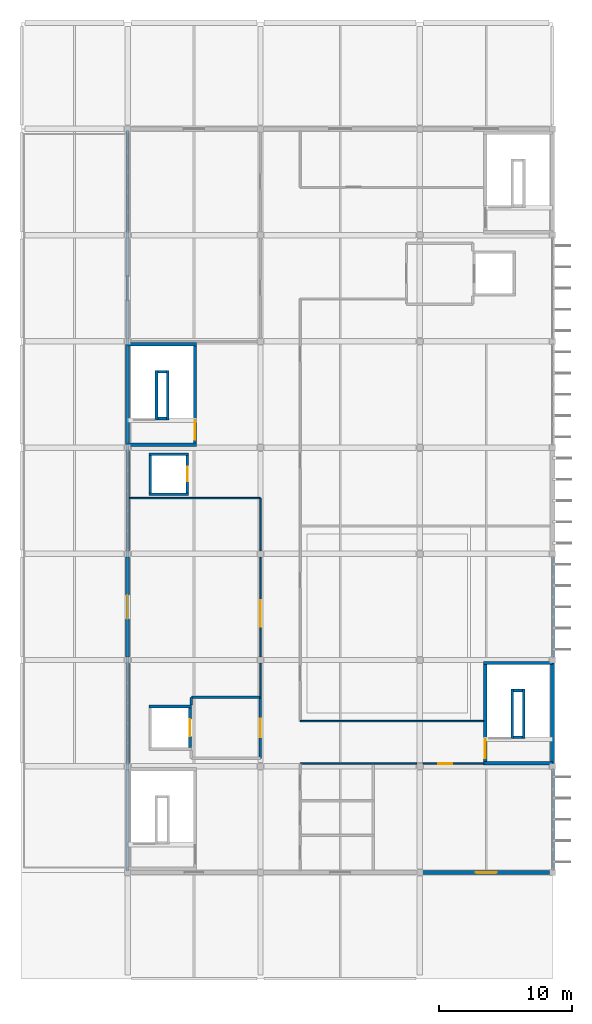
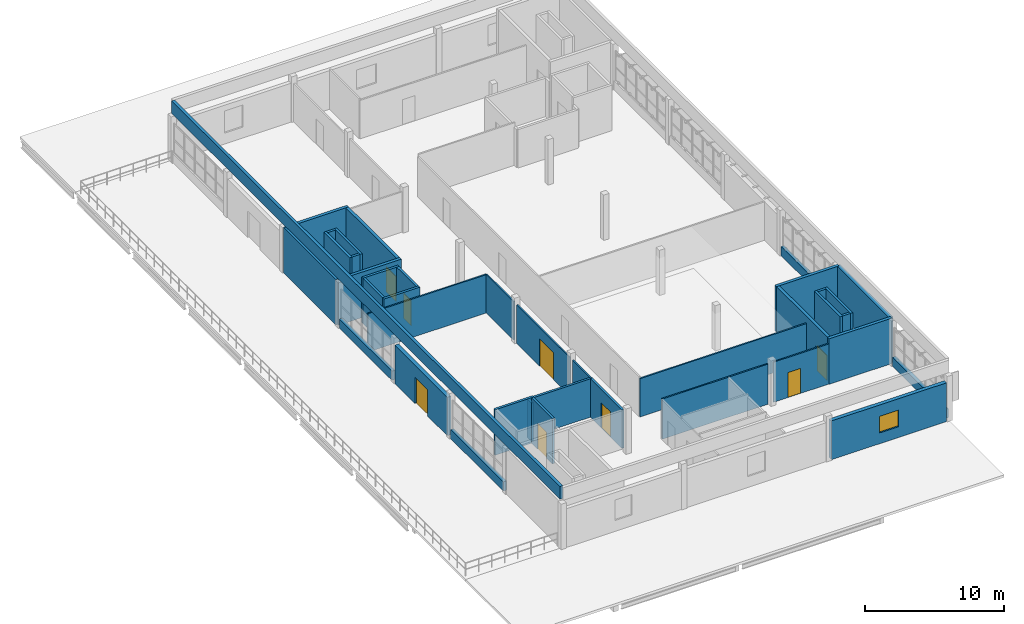
# One storey, part 9 of 12: 39 walls, 8 doors, 1 window, 9 openings.
"""IFC4 building model written with IfcOpenShell, lengths in metres."""

from ifc_helpers import new_model, si_unit, direction, frame, frame_2d, origin, place, context, subcontext, project, spatial, rectangle, extrude, material, layer, layer_set, type_object, element, fill, save


model = new_model("IFC4")

# Units and contexts
model_context = context("Model", 3, precision=1e-05, world=origin(), true_north=direction((0.0, 1.0)))
body_context = subcontext(model_context, "Body", "Model", "MODEL_VIEW")
ifc_project = project(units=[si_unit("LENGTHUNIT", "METRE"), si_unit("AREAUNIT", "SQUARE_METRE"), si_unit("VOLUMEUNIT", "CUBIC_METRE"), si_unit("PLANEANGLEUNIT", "RADIAN"), si_unit("MASSUNIT", "GRAM", prefix="KILO")], contexts=[model_context])

# Site, building, storey
site_placement = place(None, origin())
site = spatial("IfcSite", under=ifc_project, at=site_placement, CompositionType="ELEMENT")
building_placement = place(site_placement, origin())
building = spatial("IfcBuilding", under=site, at=building_placement, Name="Drelvana Railside Aquatics Centre", CompositionType="ELEMENT")
storey_placement = place(building_placement, frame((0.0, 0.0, 18.60009765625)))
storey = spatial("IfcBuildingStorey", under=building, at=storey_placement, Name="L04", CompositionType="ELEMENT", Elevation=18.60009765625)

# Wall
ifc_material_1 = material(Name="Concrete blockwork compartment wall", Category="masonry")
ifc_layer_1 = layer(ifc_material_1, 0.18505859375, Name="Concrete blockwork compartment wall")
ifc_layer_set_1 = layer_set([ifc_layer_1], Name="Concrete blockwork compartment wall")
wall_type_1 = type_object("IfcWallType", Name="WL-COMP-185", PredefinedType="STANDARD", material=ifc_layer_set_1)
wall_1_placement = place(storey_placement, frame((156.800048828125, 37.199951171875, 0.0), z_axis=(0.0, 0.0, 1.0), x_axis=(1.0, 0.0, 0.0)))
element("IfcWall", 1, at=wall_1_placement, inside=storey, type_object=wall_type_1, Name="Firefighting lobby FL-01 N wall (L04)", PredefinedType="STANDARD", context=body_context, shape_type="SweptSolid", body=[
    extrude(rectangle(XDim=5.199951171875, YDim=0.18505859375, at=frame_2d((2.60009765625, 0.0))), origin(), (0.0, 0.0, 1.0), 3.364990234375),
])

# Wall, opening, door
wall_2_placement = place(storey_placement, frame((162.0, 32.60009765625, 0.0), z_axis=(0.0, 0.0, 1.0), x_axis=(0.0, 1.0, 0.0)))
wall_2 = element("IfcWall", 2, at=wall_2_placement, inside=storey, type_object=wall_type_1, Name="Firefighting lobby FL-01 COR wall (L04)", PredefinedType="STANDARD", context=body_context, shape_type="SweptSolid", body=[
    extrude(rectangle(XDim=4.599853515625, YDim=0.18505859375, at=frame_2d((2.2998046875, 0.0))), origin(), (0.0, 0.0, 1.0), 3.364990234375),
])
opening_1_placement = place(wall_2_placement, frame((1.60009765625, 0.0, 0.0)))
opening_1 = element("IfcOpeningElement", 3, at=opening_1_placement, cuts=wall_2, Name="Opening D-03-052", PredefinedType="OPENING", context=body_context, shape_type="SweptSolid", body=[
    extrude(rectangle(XDim=1.39990234375, YDim=2.199951171875, at=frame_2d((0.699951171875, 1.10009765625))), frame((0.0, 0.1025390625, 0.0), z_axis=(0.0, -1.0, 0.0), x_axis=(1.0, 0.0, 0.0)), (0.0, 0.0, 1.0), 0.205078125),
])
ifc_material_2 = material(Name="Firefighting lobby door", Category="wood")
door_type_1 = type_object("IfcDoorType", Name="DR-INT-FFLOB-1400x2200", OperationType="DOUBLE_DOOR_SINGLE_SWING", PredefinedType="DOOR", material=ifc_material_2)
door_1_placement = place(opening_1_placement, origin())
door_1 = element("IfcDoor", 4, at=door_1_placement, inside=storey, type_object=door_type_1, Name="Firefighting lobby FL-01 door D-03-052", OperationType="DOUBLE_DOOR_SINGLE_SWING", OverallHeight=2.199951171875, OverallWidth=1.39990234375, PredefinedType="DOOR", context=body_context, shape_type="SweptSolid", body=[
    extrude(rectangle(XDim=1.39990234375, YDim=2.199951171875, at=frame_2d((0.699951171875, 1.10009765625))), frame((0.0, 0.02490234375, 0.0), z_axis=(0.0, -1.0, 0.0), x_axis=(1.0, 0.0, 0.0)), (0.0, 0.0, 1.0), 0.050048828125),
])
fill(opening_1, door_1)

# Walls
wall_3_placement = place(storey_placement, frame((156.800048828125, 36.60009765625, 0.0), z_axis=(0.0, 0.0, 1.0), x_axis=(0.0, 1.0, 0.0)))
element("IfcWall", 5, at=wall_3_placement, inside=storey, type_object=wall_type_1, Name="Firefighting lobby FL-01 SHN wall (L04)", PredefinedType="STANDARD", context=body_context, shape_type="SweptSolid", body=[
    extrude(rectangle(XDim=0.599853515625, YDim=0.18505859375, at=frame_2d((0.2998046875, 0.0))), origin(), (0.0, 0.0, 1.0), 3.364990234375),
])
ifc_material_3 = material(Name="Concrete C40/50", Category="concrete")
ifc_layer_2 = layer(ifc_material_3, 0.25, Name="Concrete C40/50")
ifc_layer_set_2 = layer_set([ifc_layer_2], Name="Concrete C40/50")
wall_type_2 = type_object("IfcWallType", Name="WL-CORE-250", PredefinedType="SHEAR", material=ifc_layer_set_2)
for number, where, z_axis, x_axis, name in (
    (6, (152.0, 56.22509765625, 0.0), (0.0, 0.0, 1.0), (1.0, 0.0, 0.0), "Core 8 Federation Wing Central-West S core wall (L04)"),
    (7, (152.0, 63.77490234375, 0.0), (0.0, 0.0, 1.0), (1.0, 0.0, 0.0), "Core 8 Federation Wing Central-West N core wall (L04)"),
):
    element("IfcWall", number, at=place(storey_placement, frame(where, z_axis=z_axis, x_axis=x_axis)), inside=storey, type_object=wall_type_2, Name=name, PredefinedType="SHEAR", context=body_context, shape_type="SweptSolid", body=[
        extrude(rectangle(XDim=5.199951171875, YDim=0.25, at=frame_2d((2.60009765625, 0.0))), origin(), (0.0, 0.0, 1.0), 3.98486328125),
    ])

# Wall, opening, door
wall_4_placement = place(storey_placement, frame((157.074951171875, 56.35009765625, 0.0), z_axis=(0.0, 0.0, 1.0), x_axis=(0.0, 1.0, 0.0)))
wall_4 = element("IfcWall", 8, at=wall_4_placement, inside=storey, type_object=wall_type_2, Name="Core 8 Federation Wing Central-West E core wall (L04)", PredefinedType="SHEAR", context=body_context, shape_type="SweptSolid", body=[
    extrude(rectangle(XDim=7.2998046875, YDim=0.25, at=frame_2d((3.64990234375, 0.0))), origin(), (0.0, 0.0, 1.0), 3.98486328125),
])
opening_2_placement = place(wall_4_placement, frame((0.25, 0.0, 0.0)))
opening_2 = element("IfcOpeningElement", 9, at=opening_2_placement, cuts=wall_4, Name="Opening D-01-076", PredefinedType="OPENING", context=body_context, shape_type="SweptSolid", body=[
    extrude(rectangle(XDim=1.449951171875, YDim=2.199951171875, at=frame_2d((0.72509765625, 1.10009765625))), frame((0.0, 0.135009765625, 0.0), z_axis=(0.0, -1.0, 0.0), x_axis=(1.0, 0.0, 0.0)), (0.0, 0.0, 1.0), 0.27001953125),
])
ifc_material_4 = material(Name="Fire-rated steel and vision-panel door", Category="steel")
door_type_2 = type_object("IfcDoorType", Name="DR-INT-STAIR-1450x2200", OperationType="DOUBLE_DOOR_SINGLE_SWING", PredefinedType="DOOR", material=ifc_material_4)
door_2_placement = place(opening_2_placement, origin())
door_2 = element("IfcDoor", 10, at=door_2_placement, inside=storey, type_object=door_type_2, Name="Stair ST-08 lobby door D-01-076", OperationType="DOUBLE_DOOR_SINGLE_SWING", OverallHeight=2.199951171875, OverallWidth=1.449951171875, PredefinedType="DOOR", context=body_context, shape_type="SweptSolid", body=[
    extrude(rectangle(XDim=1.449951171875, YDim=2.199951171875, at=frame_2d((0.72509765625, 1.10009765625))), frame((0.0, 0.02490234375, 0.0), z_axis=(0.0, -1.0, 0.0), x_axis=(1.0, 0.0, 0.0)), (0.0, 0.0, 1.0), 0.050048828125),
])
fill(opening_2, door_2)

# Walls
for number, where, z_axis, x_axis, name in (
    (11, (178.800048828125, 32.22509765625, 0.0), (0.0, 0.0, 1.0), (1.0, 0.0, 0.0), "Core 9 Federation Wing Avenue-South S core wall (L04)"),
    (12, (178.800048828125, 39.77490234375, 0.0), (0.0, 0.0, 1.0), (1.0, 0.0, 0.0), "Core 9 Federation Wing Avenue-South N core wall (L04)"),
):
    element("IfcWall", number, at=place(storey_placement, frame(where, z_axis=z_axis, x_axis=x_axis)), inside=storey, type_object=wall_type_2, Name=name, PredefinedType="SHEAR", context=body_context, shape_type="SweptSolid", body=[
        extrude(rectangle(XDim=5.199951171875, YDim=0.25, at=frame_2d((2.60009765625, 0.0))), origin(), (0.0, 0.0, 1.0), 3.98486328125),
    ])

# Wall, opening, door
wall_5_placement = place(storey_placement, frame((178.925048828125, 32.35009765625, 0.0), z_axis=(0.0, 0.0, 1.0), x_axis=(0.0, 1.0, 0.0)))
wall_5 = element("IfcWall", 13, at=wall_5_placement, inside=storey, type_object=wall_type_2, Name="Core 9 Federation Wing Avenue-South W core wall (L04)", PredefinedType="SHEAR", context=body_context, shape_type="SweptSolid", body=[
    extrude(rectangle(XDim=7.2998046875, YDim=0.25, at=frame_2d((3.64990234375, 0.0))), origin(), (0.0, 0.0, 1.0), 3.98486328125),
])
opening_3_placement = place(wall_5_placement, frame((0.25, 0.0, 0.0)))
opening_3 = element("IfcOpeningElement", 14, at=opening_3_placement, cuts=wall_5, Name="Opening D-01-088", PredefinedType="OPENING", context=body_context, shape_type="SweptSolid", body=[
    extrude(rectangle(XDim=1.449951171875, YDim=2.199951171875, at=frame_2d((0.72509765625, 1.10009765625))), frame((0.0, 0.135009765625, 0.0), z_axis=(0.0, -1.0, 0.0), x_axis=(1.0, 0.0, 0.0)), (0.0, 0.0, 1.0), 0.27001953125),
])
door_3_placement = place(opening_3_placement, origin())
door_3 = element("IfcDoor", 15, at=door_3_placement, inside=storey, type_object=door_type_2, Name="Stair ST-09 lobby door D-01-088", OperationType="DOUBLE_DOOR_SINGLE_SWING", OverallHeight=2.199951171875, OverallWidth=1.449951171875, PredefinedType="DOOR", context=body_context, shape_type="SweptSolid", body=[
    extrude(rectangle(XDim=1.449951171875, YDim=2.199951171875, at=frame_2d((0.72509765625, 1.10009765625))), frame((0.0, 0.02490234375, 0.0), z_axis=(0.0, -1.0, 0.0), x_axis=(1.0, 0.0, 0.0)), (0.0, 0.0, 1.0), 0.050048828125),
])
fill(opening_3, door_3)

# Walls
ifc_layer_3 = layer(ifc_material_3, 0.300048828125, Name="Concrete C40/50")
ifc_layer_set_3 = layer_set([ifc_layer_3], Name="Concrete C40/50")
wall_type_3 = type_object("IfcWallType", Name="WL-CORE-300", PredefinedType="SHEAR", material=ifc_layer_set_3)
for number, where, z_axis, x_axis, name in (
    (16, (152.0, 56.220947265625, 0.0), (0.0, 0.0, 1.0), (0.0, 1.0, 0.0), "Core 8 L04 west shear wall"),
    (17, (184.0, 32.220947265625, 0.0), (0.0, 0.0, 1.0), (0.0, 1.0, 0.0), "Core east avenue shear wall 32 (L04)"),
):
    element("IfcWall", number, at=place(storey_placement, frame(where, z_axis=z_axis, x_axis=x_axis)), inside=storey, type_object=wall_type_3, Name=name, PredefinedType="SHEAR", context=body_context, shape_type="SweptSolid", body=[
        extrude(rectangle(XDim=7.55810546875, YDim=0.300048828125, at=frame_2d((3.779052734375, 0.0))), origin(), (0.0, 0.0, 1.0), 3.98486328125),
    ])
ifc_material_5 = material(Name="Acoustic twin-stud gypsum partition", Category="gypsum")
ifc_layer_4 = layer(ifc_material_5, 0.1201171875, Name="Acoustic twin-stud gypsum partition")
ifc_layer_set_4 = layer_set([ifc_layer_4], Name="Acoustic twin-stud gypsum partition")
wall_type_4 = type_object("IfcWallType", Name="WL-DRY-120", PredefinedType="PARTITIONING", material=ifc_layer_set_4)
wall_6_placement = place(storey_placement, frame((162.0, 37.199951171875, 0.0), z_axis=(0.0, 0.0, 1.0), x_axis=(0.0, 1.0, 0.0)))
element("IfcWall", 18, at=wall_6_placement, inside=storey, type_object=wall_type_4, Name="V5 L04 west corridor wall", PredefinedType="PARTITIONING", context=body_context, shape_type="SweptSolid", body=[
    extrude(rectangle(XDim=2.572998046875, YDim=0.1201171875, at=frame_2d((1.28662109375, 0.0))), origin(), (0.0, 0.0, 1.0), 3.364990234375),
])

# Wall, opening, door
wall_7_placement = place(storey_placement, frame((162.0, 40.22705078125, 0.0), z_axis=(0.0, 0.0, 1.0), x_axis=(0.0, 1.0, 0.0)))
wall_7 = element("IfcWall", 19, at=wall_7_placement, inside=storey, type_object=wall_type_4, Name="V5 L04 west corridor wall", PredefinedType="PARTITIONING", context=body_context, shape_type="SweptSolid", body=[
    extrude(rectangle(XDim=7.5458984375, YDim=0.1201171875, at=frame_2d((3.77294921875, 0.0))), origin(), (0.0, 0.0, 1.0), 3.364990234375),
])
opening_4_placement = place(wall_7_placement, frame((2.27294921875, 0.0, 0.0)))
opening_4 = element("IfcOpeningElement", 20, at=opening_4_placement, cuts=wall_7, Name="Opening D-06-251", PredefinedType="OPENING", context=body_context, shape_type="SweptSolid", body=[
    extrude(rectangle(XDim=2.0, YDim=2.39990234375, at=frame_2d((1.0, 1.199951171875))), frame((0.0, 0.070068359375, 0.0), z_axis=(0.0, -1.0, 0.0), x_axis=(1.0, 0.0, 0.0)), (0.0, 0.0, 1.0), 0.14013671875),
])
ifc_material_6 = material(Name="Glazed bronze-aluminium concourse door", Category="aluminium")
door_type_3 = type_object("IfcDoorType", Name="DR-INT-HALL-2000x2400", OperationType="DOUBLE_DOOR_SINGLE_SWING", PredefinedType="DOOR", material=ifc_material_6)
door_4_placement = place(opening_4_placement, origin())
door_4 = element("IfcDoor", 21, at=door_4_placement, inside=storey, type_object=door_type_3, Name="Belvedere reception gallery door D-06-251", OperationType="DOUBLE_DOOR_SINGLE_SWING", OverallHeight=2.39990234375, OverallWidth=2.0, PredefinedType="DOOR", context=body_context, shape_type="SweptSolid", body=[
    extrude(rectangle(XDim=2.0, YDim=2.39990234375, at=frame_2d((1.0, 1.199951171875))), frame((0.0, 0.02490234375, 0.0), z_axis=(0.0, -1.0, 0.0), x_axis=(1.0, 0.0, 0.0)), (0.0, 0.0, 1.0), 0.050048828125),
])
fill(opening_4, door_4)

# Walls
wall_8_placement = place(storey_placement, frame((162.0, 48.22705078125, 0.0), z_axis=(0.0, 0.0, 1.0), x_axis=(0.0, 1.0, 0.0)))
element("IfcWall", 22, at=wall_8_placement, inside=storey, type_object=wall_type_4, Name="V5 L04 west corridor wall", PredefinedType="PARTITIONING", context=body_context, shape_type="SweptSolid", body=[
    extrude(rectangle(XDim=3.972900390625, YDim=0.1201171875, at=frame_2d((1.986328125, 0.0))), origin(), (0.0, 0.0, 1.0), 3.364990234375),
])
wall_9_placement = place(storey_placement, frame((152.14990234375, 52.199951171875, 0.0), z_axis=(0.0, 0.0, 1.0), x_axis=(1.0, 0.0, 0.0)))
element("IfcWall", 23, at=wall_9_placement, inside=storey, type_object=wall_type_4, Name="V5 L04 LP-04 alcove S wall", PredefinedType="PARTITIONING", context=body_context, shape_type="SweptSolid", body=[
    extrude(rectangle(XDim=9.85009765625, YDim=0.1201171875, at=frame_2d((4.925048828125, 0.0))), origin(), (0.0, 0.0, 1.0), 3.364990234375),
])
wall_10_placement = place(storey_placement, frame((165.0, 32.199951171875, 0.0), z_axis=(0.0, 0.0, 1.0), x_axis=(1.0, 0.0, 0.0)))
element("IfcWall", 24, at=wall_10_placement, inside=storey, type_object=wall_type_4, Name="L04 C9 branch S wall", PredefinedType="PARTITIONING", context=body_context, shape_type="SweptSolid", body=[
    extrude(rectangle(XDim=8.77294921875, YDim=0.1201171875, at=frame_2d((4.386474609375, 0.0))), origin(), (0.0, 0.0, 1.0), 3.514892578125),
])

# Wall, opening, door
wall_11_placement = place(storey_placement, frame((174.22705078125, 32.199951171875, 0.0), z_axis=(0.0, 0.0, 1.0), x_axis=(1.0, 0.0, 0.0)))
wall_11 = element("IfcWall", 25, at=wall_11_placement, inside=storey, type_object=wall_type_4, Name="L04 C9 branch S wall", PredefinedType="PARTITIONING", context=body_context, shape_type="SweptSolid", body=[
    extrude(rectangle(XDim=4.572998046875, YDim=0.1201171875, at=frame_2d((2.28662109375, 0.0))), origin(), (0.0, 0.0, 1.0), 3.514892578125),
])
opening_5_placement = place(wall_11_placement, frame((1.173095703125, 0.0, 0.0)))
opening_5 = element("IfcOpeningElement", 26, at=opening_5_placement, cuts=wall_11, Name="Opening D-18-261", PredefinedType="OPENING", context=body_context, shape_type="SweptSolid", body=[
    extrude(rectangle(XDim=1.050048828125, YDim=2.199951171875, at=frame_2d((0.52490234375, 1.10009765625))), frame((0.0, 0.070068359375, 0.0), z_axis=(0.0, -1.0, 0.0), x_axis=(1.0, 0.0, 0.0)), (0.0, 0.0, 1.0), 0.14013671875),
])
ifc_material_7 = material(Name="Seminar and boardroom acoustic door", Category="wood")
door_type_4 = type_object("IfcDoorType", Name="DR-INT-ROOM-1050x2200", OperationType="NOTDEFINED", PredefinedType="DOOR", material=ifc_material_7)
door_5_placement = place(opening_5_placement, origin())
door_5 = element("IfcDoor", 27, at=door_5_placement, inside=storey, type_object=door_type_4, Name="Executive meeting room door D-18-261", OperationType="SINGLE_SWING_RIGHT", OverallHeight=2.199951171875, OverallWidth=1.050048828125, PredefinedType="DOOR", context=body_context, shape_type="SweptSolid", body=[
    extrude(rectangle(XDim=1.050048828125, YDim=2.199951171875, at=frame_2d((0.52490234375, 1.10009765625))), frame((0.0, 0.02490234375, 0.0), z_axis=(0.0, -1.0, 0.0), x_axis=(1.0, 0.0, 0.0)), (0.0, 0.0, 1.0), 0.050048828125),
])
fill(opening_5, door_5)

# Walls
wall_12_placement = place(storey_placement, frame((165.0, 35.39990234375, 0.0), z_axis=(0.0, 0.0, 1.0), x_axis=(1.0, 0.0, 0.0)))
element("IfcWall", 28, at=wall_12_placement, inside=storey, type_object=wall_type_4, Name="L04 C9 branch N wall", PredefinedType="PARTITIONING", context=body_context, shape_type="SweptSolid", body=[
    extrude(rectangle(XDim=13.800048828125, YDim=0.1201171875, at=frame_2d((6.89990234375, 0.0))), origin(), (0.0, 0.0, 1.0), 3.364990234375),
])
ifc_material_8 = material(Name="Glazed ceramic spandrel wall", Category="masonry")
ifc_layer_5 = layer(ifc_material_8, 0.27001953125, Name="Glazed ceramic spandrel wall")
ifc_layer_set_5 = layer_set([ifc_layer_5], Name="Glazed ceramic spandrel wall")
wall_type_5 = type_object("IfcWallType", Name="WL-EXT-270", PredefinedType="STANDARD", material=ifc_layer_set_5)
for number, where, z_axis, x_axis, name in (
    (29, (152.0, 32.220947265625, 0.0), (0.0, 0.0, 1.0), (0.0, 1.0, 0.0), "L04 West sill wall"),
    (30, (152.0, 48.220947265625, 0.0), (0.0, 0.0, 1.0), (0.0, 1.0, 0.0), "L04 West sill wall"),
    (31, (184.0, 24.220947265625, 0.0), (0.0, 0.0, 1.0), (0.0, 1.0, 0.0), "V5 East L04 sill spandrel"),
    (32, (184.0, 40.220947265625, 0.0), (0.0, 0.0, 1.0), (0.0, 1.0, 0.0), "V5 East L04 sill spandrel"),
):
    element("IfcWall", number, at=place(storey_placement, frame(where, z_axis=z_axis, x_axis=x_axis)), inside=storey, type_object=wall_type_5, Name=name, PredefinedType="STANDARD", context=body_context, shape_type="SweptSolid", body=[
        extrude(rectangle(XDim=7.55810546875, YDim=0.27001953125, at=frame_2d((3.779052734375, 0.0))), origin(), (0.0, 0.0, 1.0), 0.7998046875),
    ])

# Wall, opening, door
ifc_material_9 = material(Name="Terracotta rainscreen masonry wall", Category="masonry")
ifc_layer_6 = layer(ifc_material_9, 0.31005859375, Name="Terracotta rainscreen masonry wall")
ifc_layer_set_6 = layer_set([ifc_layer_6], Name="Terracotta rainscreen masonry wall")
wall_type_6 = type_object("IfcWallType", Name="WL-EXT-310", PredefinedType="STANDARD", material=ifc_layer_set_6)
wall_13_placement = place(storey_placement, frame((152.0, 40.220947265625, 0.0), z_axis=(0.0, 0.0, 1.0), x_axis=(0.0, 1.0, 0.0)))
wall_13 = element("IfcWall", 33, at=wall_13_placement, inside=storey, type_object=wall_type_6, Name="Belvedere terrace portal wall 40", PredefinedType="STANDARD", context=body_context, shape_type="SweptSolid", body=[
    extrude(rectangle(XDim=7.55810546875, YDim=0.31005859375, at=frame_2d((3.779052734375, 0.0))), origin(), (0.0, 0.0, 1.0), 3.364990234375),
])
opening_6_placement = place(wall_13_placement, frame((2.87890625, 0.0, 0.0)))
opening_6 = element("IfcOpeningElement", 34, at=opening_6_placement, cuts=wall_13, Name="Opening EX-05-021", PredefinedType="OPENING", context=body_context, shape_type="SweptSolid", body=[
    extrude(rectangle(XDim=1.800048828125, YDim=2.300048828125, at=frame_2d((0.89990234375, 1.14990234375))), frame((0.0, 0.1650390625, 0.0), z_axis=(0.0, -1.0, 0.0), x_axis=(1.0, 0.0, 0.0)), (0.0, 0.0, 1.0), 0.330078125),
])
ifc_material_10 = material(Name="Thermally broken bronze-anodised aluminium and glazed door", Category="aluminium")
door_type_5 = type_object("IfcDoorType", Name="DR-EXT-TER-1800x2300", OperationType="DOUBLE_DOOR_SINGLE_SWING", PredefinedType="DOOR", material=ifc_material_10)
door_6_placement = place(opening_6_placement, origin())
door_6 = element("IfcDoor", 35, at=door_6_placement, inside=storey, type_object=door_type_5, Name="Belvedere Terrace door EX-05-021", OperationType="DOUBLE_DOOR_SINGLE_SWING", OverallHeight=2.300048828125, OverallWidth=1.800048828125, PredefinedType="DOOR", context=body_context, shape_type="SweptSolid", body=[
    extrude(rectangle(XDim=1.800048828125, YDim=2.300048828125, at=frame_2d((0.89990234375, 1.14990234375))), frame((0.0, 0.02490234375, 0.0), z_axis=(0.0, -1.0, 0.0), x_axis=(1.0, 0.0, 0.0)), (0.0, 0.0, 1.0), 0.050048828125),
])
fill(opening_6, door_6)

# Wall, opening, window
wall_14_placement = place(storey_placement, frame((174.220947265625, 24.0, 0.0), z_axis=(0.0, 0.0, 1.0), x_axis=(1.0, 0.0, 0.0)))
wall_14 = element("IfcWall", 36, at=wall_14_placement, inside=storey, type_object=wall_type_6, Name="V5 L04 end bay wall", PredefinedType="STANDARD", context=body_context, shape_type="SweptSolid", body=[
    extrude(rectangle(XDim=9.55810546875, YDim=0.31005859375, at=frame_2d((4.779052734375, 0.0))), origin(), (0.0, 0.0, 1.0), 3.39990234375),
])
opening_7_placement = place(wall_14_placement, frame((3.97900390625, 0.0, 0.949951171875)))
opening_7 = element("IfcOpeningElement", 37, at=opening_7_placement, cuts=wall_14, Name="Opening W-19", PredefinedType="OPENING", context=body_context, shape_type="SweptSolid", body=[
    extrude(rectangle(XDim=1.60009765625, YDim=1.449951171875, at=frame_2d((0.800048828125, 0.72509765625))), frame((0.0, 0.1650390625, 0.0), z_axis=(0.0, -1.0, 0.0), x_axis=(1.0, 0.0, 0.0)), (0.0, 0.0, 1.0), 0.330078125),
])
ifc_material_11 = material(Name="Double-glazed solar-control aluminium window", Category="aluminium")
window_type = type_object("IfcWindowType", Name="WIN-19", PartitioningType="SINGLE_PANEL", PredefinedType="WINDOW", material=ifc_material_11)
window_placement = place(opening_7_placement, origin())
window = element("IfcWindow", 38, at=window_placement, inside=storey, type_object=window_type, Name="V5 L04 end window WIN-19", OverallHeight=1.449951171875, OverallWidth=1.60009765625, PartitioningType="SINGLE_PANEL", PredefinedType="WINDOW", context=body_context, shape_type="SweptSolid", body=[
    extrude(rectangle(XDim=1.60009765625, YDim=1.449951171875, at=frame_2d((0.800048828125, 0.72509765625))), frame((0.0, 0.030029296875, 0.0), z_axis=(0.0, -1.0, 0.0), x_axis=(1.0, 0.0, 0.0)), (0.0, 0.0, 1.0), 0.06005859375),
])
fill(opening_7, window)

# Walls
ifc_material_12 = material(Name="Precast concrete C40/50", Category="concrete")
ifc_layer_7 = layer(ifc_material_12, 0.239990234375, Name="Precast concrete C40/50")
ifc_layer_set_7 = layer_set([ifc_layer_7], Name="Precast concrete C40/50")
wall_type_7 = type_object("IfcWallType", Name="WL-PAR-240", PredefinedType="PARAPET", material=ifc_layer_set_7)
wall_15_placement = place(storey_placement, frame((152.0, 24.1201171875, 4.199951171875), z_axis=(0.0, 0.0, 1.0), x_axis=(0.0, 1.0, 0.0)))
element("IfcWall", 39, at=wall_15_placement, inside=storey, type_object=wall_type_7, Name="Roof parapet wall 3", PredefinedType="PARAPET", context=body_context, shape_type="SweptSolid", body=[
    extrude(rectangle(XDim=55.759765625, YDim=0.239990234375, at=frame_2d((27.8798828125, 0.0))), origin(), (0.0, 0.0, 1.0), 1.099853515625),
])
ifc_layer_8 = layer(ifc_material_3, 0.199951171875, Name="Concrete C40/50")
ifc_layer_set_8 = layer_set([ifc_layer_8], Name="Concrete C40/50")
wall_type_8 = type_object("IfcWallType", Name="WL-SHFT-200", PredefinedType="SHEAR", material=ifc_layer_set_8)
wall_16_placement = place(storey_placement, frame((153.60009765625, 36.5, 0.0), z_axis=(0.0, 0.0, 1.0), x_axis=(1.0, 0.0, 0.0)))
element("IfcWall", 40, at=wall_16_placement, inside=storey, type_object=wall_type_8, Name="Lift FL-01 N shaft wall (L04)", PredefinedType="SHEAR", context=body_context, shape_type="SweptSolid", body=[
    extrude(rectangle(XDim=3.199951171875, YDim=0.199951171875, at=frame_2d((1.60009765625, 0.0))), origin(), (0.0, 0.0, 1.0), 3.98486328125),
])

# Wall, opening, door
wall_17_placement = place(storey_placement, frame((156.699951171875, 33.39990234375, 0.0), z_axis=(0.0, 0.0, 1.0), x_axis=(0.0, 1.0, 0.0)))
wall_17 = element("IfcWall", 41, at=wall_17_placement, inside=storey, type_object=wall_type_8, Name="Lift FL-01 E shaft wall (L04)", PredefinedType="SHEAR", context=body_context, shape_type="SweptSolid", body=[
    extrude(rectangle(XDim=3.0, YDim=0.199951171875, at=frame_2d((1.5, 0.0))), origin(), (0.0, 0.0, 1.0), 3.98486328125),
])
opening_8_placement = place(wall_17_placement, frame((0.85009765625, 0.0, 0.0)))
opening_8 = element("IfcOpeningElement", 42, at=opening_8_placement, cuts=wall_17, Name="Opening LD-02-051", PredefinedType="OPENING", context=body_context, shape_type="SweptSolid", body=[
    extrude(rectangle(XDim=1.300048828125, YDim=2.300048828125, at=frame_2d((0.64990234375, 1.14990234375))), frame((0.0, 0.10986328125, 0.0), z_axis=(0.0, -1.0, 0.0), x_axis=(1.0, 0.0, 0.0)), (0.0, 0.0, 1.0), 0.219970703125),
])
ifc_material_13 = material(Name="Firefighting & goods lift sliding door", Category="wood")
door_type_6 = type_object("IfcDoorType", Name="DR-LIFT-LD-1300x2300", OperationType="SLIDING_TO_RIGHT", PredefinedType="DOOR", material=ifc_material_13)
door_7_placement = place(opening_8_placement, origin())
door_7 = element("IfcDoor", 43, at=door_7_placement, inside=storey, type_object=door_type_6, Name="Lift FL-01 landing door LD-02-051", OperationType="SLIDING_TO_RIGHT", OverallHeight=2.300048828125, OverallWidth=1.300048828125, PredefinedType="DOOR", context=body_context, shape_type="SweptSolid", body=[
    extrude(rectangle(XDim=1.300048828125, YDim=2.300048828125, at=frame_2d((0.64990234375, 1.14990234375))), frame((0.0, 0.02490234375, 0.0), z_axis=(0.0, -1.0, 0.0), x_axis=(1.0, 0.0, 0.0)), (0.0, 0.0, 1.0), 0.050048828125),
])
fill(opening_8, door_7)

# Walls
for number, where, z_axis, x_axis, name in (
    (44, (154.169921875, 58.090087890625, 0.0), (0.0, 0.0, 1.0), (0.0, 1.0, 0.0), "Stair ST-08 central spine wall A (L04)"),
    (45, (155.030029296875, 58.090087890625, 0.0), (0.0, 0.0, 1.0), (0.0, 1.0, 0.0), "Stair ST-08 central spine wall B (L04)"),
):
    element("IfcWall", number, at=place(storey_placement, frame(where, z_axis=z_axis, x_axis=x_axis)), inside=storey, type_object=wall_type_8, Name=name, PredefinedType="SHEAR", context=body_context, shape_type="SweptSolid", body=[
        extrude(rectangle(XDim=3.719970703125, YDim=0.199951171875, at=frame_2d((1.85986328125, 0.0))), origin(), (0.0, 0.0, 1.0), 3.98486328125),
    ])
for number, where, z_axis, x_axis, name in (
    (46, (154.27001953125, 58.18994140625, 0.0), (0.0, 0.0, 1.0), (1.0, 0.0, 0.0), "Stair ST-08 central spine wall S (L04)"),
    (47, (154.27001953125, 61.7099609375, 0.0), (0.0, 0.0, 1.0), (1.0, 0.0, 0.0), "Stair ST-08 central spine wall N (L04)"),
):
    element("IfcWall", number, at=place(storey_placement, frame(where, z_axis=z_axis, x_axis=x_axis)), inside=storey, type_object=wall_type_8, Name=name, PredefinedType="SHEAR", context=body_context, shape_type="SweptSolid", body=[
        extrude(rectangle(XDim=0.659912109375, YDim=0.199951171875, at=frame_2d((0.330078125, 0.0))), origin(), (0.0, 0.0, 1.0), 3.98486328125),
    ])
for number, where, z_axis, x_axis, name in (
    (48, (153.60009765625, 52.5, 0.0), (0.0, 0.0, 1.0), (1.0, 0.0, 0.0), "Lift LP-04 S shaft wall (L04)"),
    (49, (153.60009765625, 55.5, 0.0), (0.0, 0.0, 1.0), (1.0, 0.0, 0.0), "Lift LP-04 N shaft wall (L04)"),
):
    element("IfcWall", number, at=place(storey_placement, frame(where, z_axis=z_axis, x_axis=x_axis)), inside=storey, type_object=wall_type_8, Name=name, PredefinedType="SHEAR", context=body_context, shape_type="SweptSolid", body=[
        extrude(rectangle(XDim=3.0, YDim=0.199951171875, at=frame_2d((1.5, 0.0))), origin(), (0.0, 0.0, 1.0), 3.98486328125),
    ])
wall_18_placement = place(storey_placement, frame((153.699951171875, 52.60009765625, 0.0), z_axis=(0.0, 0.0, 1.0), x_axis=(0.0, 1.0, 0.0)))
element("IfcWall", 50, at=wall_18_placement, inside=storey, type_object=wall_type_8, Name="Lift LP-04 W shaft wall (L04)", PredefinedType="SHEAR", context=body_context, shape_type="SweptSolid", body=[
    extrude(rectangle(XDim=2.7998046875, YDim=0.199951171875, at=frame_2d((1.39990234375, 0.0))), origin(), (0.0, 0.0, 1.0), 3.98486328125),
])

# Wall, opening, door
wall_19_placement = place(storey_placement, frame((156.5, 52.60009765625, 0.0), z_axis=(0.0, 0.0, 1.0), x_axis=(0.0, 1.0, 0.0)))
wall_19 = element("IfcWall", 51, at=wall_19_placement, inside=storey, type_object=wall_type_8, Name="Lift LP-04 E shaft wall (L04)", PredefinedType="SHEAR", context=body_context, shape_type="SweptSolid", body=[
    extrude(rectangle(XDim=2.7998046875, YDim=0.199951171875, at=frame_2d((1.39990234375, 0.0))), origin(), (0.0, 0.0, 1.0), 3.98486328125),
])
opening_9_placement = place(wall_19_placement, frame((0.85009765625, 0.0, 0.0)))
opening_9 = element("IfcOpeningElement", 52, at=opening_9_placement, cuts=wall_19, Name="Opening LD-01-082", PredefinedType="OPENING", context=body_context, shape_type="SweptSolid", body=[
    extrude(rectangle(XDim=1.10009765625, YDim=2.199951171875, at=frame_2d((0.550048828125, 1.10009765625))), frame((0.0, 0.10986328125, 0.0), z_axis=(0.0, -1.0, 0.0), x_axis=(1.0, 0.0, 0.0)), (0.0, 0.0, 1.0), 0.219970703125),
])
ifc_material_14 = material(Name="Stainless steel lift landing sliding door", Category="steel")
door_type_7 = type_object("IfcDoorType", Name="DR-LIFT-LD-1100x2200", OperationType="SLIDING_TO_LEFT", PredefinedType="DOOR", material=ifc_material_14)
door_8_placement = place(opening_9_placement, origin())
door_8 = element("IfcDoor", 53, at=door_8_placement, inside=storey, type_object=door_type_7, Name="Lift LP-04 landing door LD-01-082", OperationType="SLIDING_TO_LEFT", OverallHeight=2.199951171875, OverallWidth=1.10009765625, PredefinedType="DOOR", context=body_context, shape_type="SweptSolid", body=[
    extrude(rectangle(XDim=1.10009765625, YDim=2.199951171875, at=frame_2d((0.550048828125, 1.10009765625))), frame((0.0, 0.02490234375, 0.0), z_axis=(0.0, -1.0, 0.0), x_axis=(1.0, 0.0, 0.0)), (0.0, 0.0, 1.0), 0.050048828125),
])
fill(opening_9, door_8)

# Walls
for number, where, z_axis, x_axis, name in (
    (54, (180.969970703125, 34.090087890625, 0.0), (0.0, 0.0, 1.0), (0.0, 1.0, 0.0), "Stair ST-09 central spine wall A (L04)"),
    (55, (181.830078125, 34.090087890625, 0.0), (0.0, 0.0, 1.0), (0.0, 1.0, 0.0), "Stair ST-09 central spine wall B (L04)"),
):
    element("IfcWall", number, at=place(storey_placement, frame(where, z_axis=z_axis, x_axis=x_axis)), inside=storey, type_object=wall_type_8, Name=name, PredefinedType="SHEAR", context=body_context, shape_type="SweptSolid", body=[
        extrude(rectangle(XDim=3.719970703125, YDim=0.199951171875, at=frame_2d((1.85986328125, 0.0))), origin(), (0.0, 0.0, 1.0), 3.98486328125),
    ])
for number, where, z_axis, x_axis, name in (
    (56, (181.070068359375, 34.18994140625, 0.0), (0.0, 0.0, 1.0), (1.0, 0.0, 0.0), "Stair ST-09 central spine wall S (L04)"),
    (57, (181.070068359375, 37.7099609375, 0.0), (0.0, 0.0, 1.0), (1.0, 0.0, 0.0), "Stair ST-09 central spine wall N (L04)"),
):
    element("IfcWall", number, at=place(storey_placement, frame(where, z_axis=z_axis, x_axis=x_axis)), inside=storey, type_object=wall_type_8, Name=name, PredefinedType="SHEAR", context=body_context, shape_type="SweptSolid", body=[
        extrude(rectangle(XDim=0.659912109375, YDim=0.199951171875, at=frame_2d((0.330078125, 0.0))), origin(), (0.0, 0.0, 1.0), 3.98486328125),
    ])

save(model, "model.ifc")
